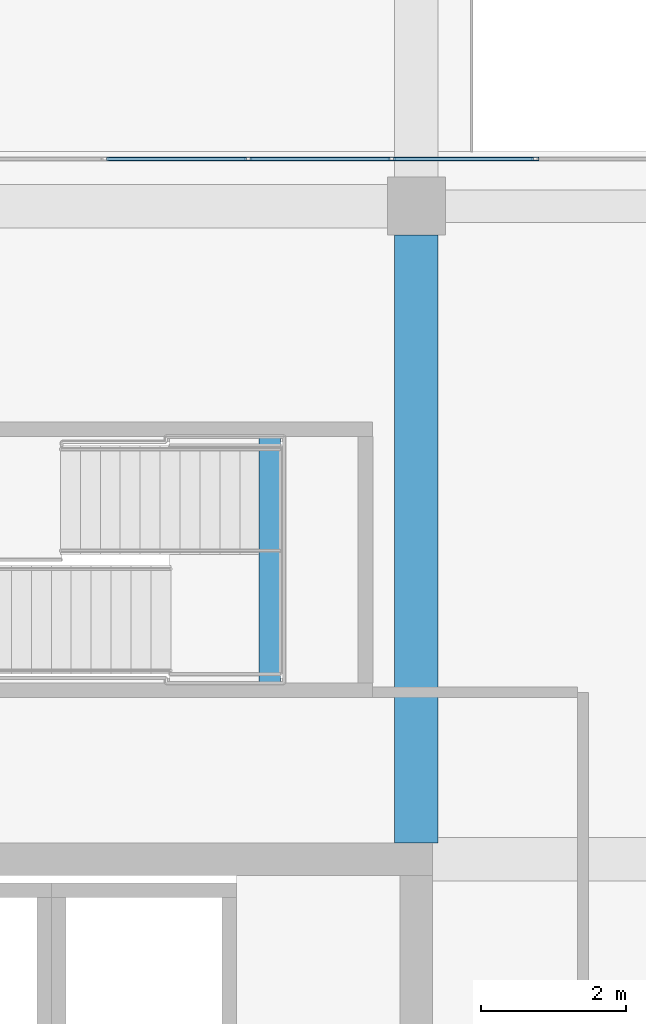
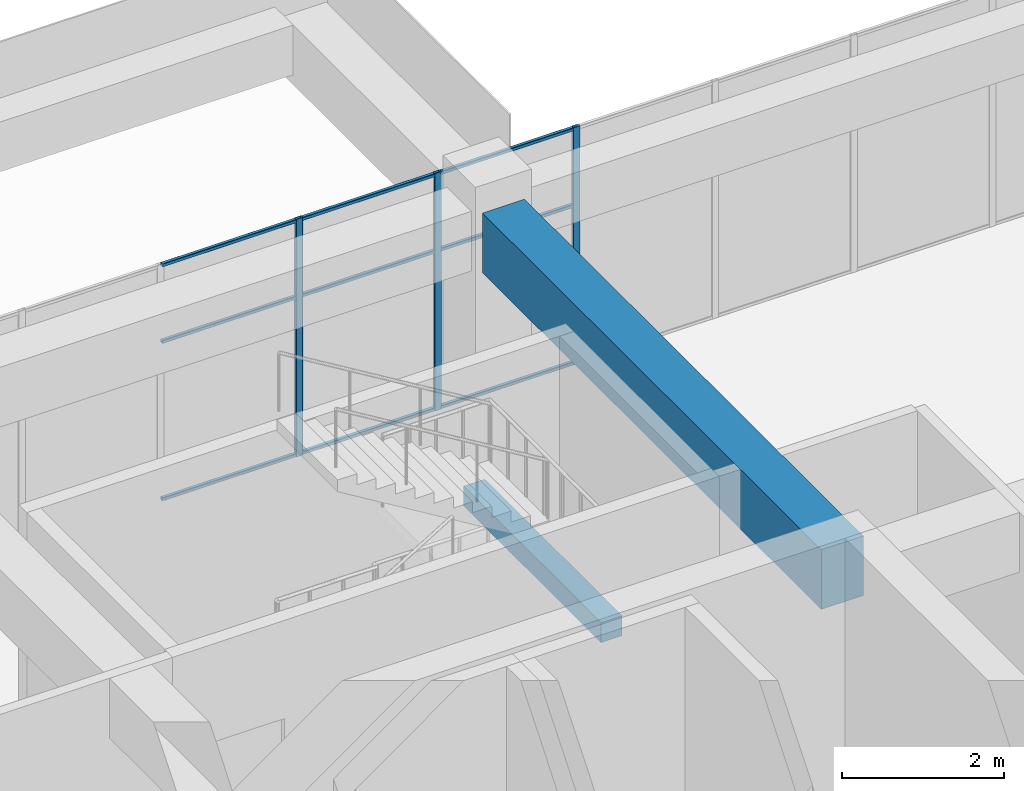
# One storey, part 40 of 72: 12 members, 2 beams, 1 element without a shape of its own.
"""IFC4 building model written with IfcOpenShell, lengths in metres."""

from ifc_helpers import new_model, si_unit, direction, frame, origin, origin_2d, place, context, subcontext, project, spatial, rectangle, hollow_rectangle, extrude, material, layer, layer_set, material_profile, profile_set, type_object, element, aggregate, save


model = new_model("IFC4")

# Units and contexts
model_context = context("Model", 3, precision=1e-05, world=origin(), true_north=direction((0.0, 1.0)))
body_context = subcontext(model_context, "Body", "Model", "MODEL_VIEW")
ifc_project = project(units=[si_unit("LENGTHUNIT", "METRE"), si_unit("AREAUNIT", "SQUARE_METRE"), si_unit("VOLUMEUNIT", "CUBIC_METRE"), si_unit("PLANEANGLEUNIT", "RADIAN"), si_unit("MASSUNIT", "GRAM", prefix="KILO")], contexts=[model_context])

# Site, building, storey
site_placement = place(None, origin())
site = spatial("IfcSite", under=ifc_project, at=site_placement, CompositionType="ELEMENT")
building_placement = place(site_placement, origin())
building = spatial("IfcBuilding", under=site, at=building_placement, Name="Tuart Plaza Theatre", CompositionType="ELEMENT")
storey_placement = place(building_placement, frame((0.0, 0.0, 13.5)))
storey = spatial("IfcBuildingStorey", under=building, at=storey_placement, Name="L03", CompositionType="ELEMENT", Elevation=13.5)

# Beams
ifc_material_1 = material(Name="Concrete N40 (40 MPa)", Category="concrete")
ifc_material_profile_1 = material_profile(ifc_material_1, rectangle(XDim=0.300048828125, YDim=0.300048828125, at=origin_2d()), Name="BEAM 300x300 Concrete N40 (40 MPa)")
ifc_profile_set_1 = profile_set([ifc_material_profile_1], Name="Concrete N40 (40 MPa)")
beam_type_1 = type_object("IfcBeamType", Name="BEAM 300x300 Concrete N40 (40 MPa)", PredefinedType="BEAM", material=ifc_profile_set_1)
beam_1_placement = place(storey_placement, frame((138.97998046875, 85.425048828125, 1.64990234375), z_axis=(0.0, 1.0, 0.0), x_axis=(-1.0, 0.0, 0.0)))
element("IfcBeam", 1, at=beam_1_placement, inside=storey, type_object=beam_type_1, Name="RB515", PredefinedType="BEAM", context=body_context, shape_type="SweptSolid", body=[
    extrude(rectangle(XDim=0.300048828125, YDim=0.300048828125, at=origin_2d()), origin(), (0.0, 0.0, 1.0), 3.39990234375),
])
ifc_material_2 = material(Name="Concrete N40 (40 MPa)", Category="concrete")
ifc_material_profile_2 = material_profile(ifc_material_2, rectangle(XDim=0.60009765625, YDim=0.89990234375, at=origin_2d()), Name="BEAM 600x900 Concrete N40 (40 MPa)")
ifc_profile_set_2 = profile_set([ifc_material_profile_2], Name="Concrete N40 (40 MPa)")
beam_type_2 = type_object("IfcBeamType", Name="BEAM 600x900 Concrete N40 (40 MPa)", PredefinedType="BEAM", material=ifc_profile_set_2)
beam_2_placement = place(storey_placement, frame((141.0, 83.22509765625, 3.1298828125), z_axis=(0.0, 1.0, 0.0), x_axis=(-1.0, 0.0, 0.0)))
element("IfcBeam", 2, at=beam_2_placement, inside=storey, type_object=beam_type_2, Name="RB192", PredefinedType="BEAM", context=body_context, shape_type="SweptSolid", body=[
    extrude(rectangle(XDim=0.60009765625, YDim=0.89990234375, at=origin_2d()), origin(), (0.0, 0.0, 1.0), 8.375),
])

# Curtain wall, members
ifc_material_3 = material(Name="Aluminium and glass", Category="aluminium")
ifc_layer = layer(ifc_material_3, 0.10009765625)
ifc_layer_set = layer_set([ifc_layer], Name="CURTAIN WALL 2000 module")
curtain_wall_type = type_object("IfcCurtainWallType", Name="CURTAIN WALL 2000 module", PredefinedType="NOTDEFINED", material=ifc_layer_set)
curtain_wall_placement = place(storey_placement, origin())
curtain_wall = element("IfcCurtainWall", 3, at=curtain_wall_placement, inside=storey, type_object=curtain_wall_type, Name="CW70", PredefinedType="NOTDEFINED")
ifc_material_4 = material(Name="Aluminium 6063-T5", Category="aluminium")
ifc_material_profile_3 = material_profile(ifc_material_4, hollow_rectangle(XDim=0.050048828125, YDim=0.10009765625, WallThickness=0.00390625, InnerFilletRadius=0.00390625, OuterFilletRadius=0.008056640625, at=origin_2d()), Name="RHS 100x50x4")
ifc_profile_set_3 = profile_set([ifc_material_profile_3], Name="Aluminium 6063-T5")
member_type_1 = type_object("IfcMemberType", Name="MULLION RHS 100x50x4", PredefinedType="MULLION", material=ifc_profile_set_3)
member_1_placement = place(storey_placement, frame((142.638916015625, 92.64990234375, 0.0), z_axis=(0.0, 0.0, 1.0), x_axis=(0.0, -1.0, 0.0)))
member_1 = element("IfcMember", 4, at=member_1_placement, type_object=member_type_1, Name="CW70 mullion 5", PredefinedType="MULLION", context=body_context, shape_type="SweptSolid", body=[
    extrude(hollow_rectangle(XDim=0.050048828125, YDim=0.10009765625, WallThickness=0.00390625, InnerFilletRadius=0.00390625, OuterFilletRadius=0.008056640625, at=origin_2d()), origin(), (0.0, 0.0, 1.0), 3.580078125),
])
member_2_placement = place(storey_placement, frame((140.6611328125, 92.64990234375, 0.0), z_axis=(0.0, 0.0, 1.0), x_axis=(0.0, -1.0, 0.0)))
member_2 = element("IfcMember", 5, at=member_2_placement, type_object=member_type_1, Name="CW70 mullion 6", PredefinedType="MULLION", context=body_context, shape_type="SweptSolid", body=[
    extrude(hollow_rectangle(XDim=0.050048828125, YDim=0.10009765625, WallThickness=0.00390625, InnerFilletRadius=0.00390625, OuterFilletRadius=0.008056640625, at=origin_2d()), origin(), (0.0, 0.0, 1.0), 3.580078125),
])
member_3_placement = place(storey_placement, frame((138.683349609375, 92.64990234375, 0.0), z_axis=(0.0, 0.0, 1.0), x_axis=(0.0, -1.0, 0.0)))
member_3 = element("IfcMember", 6, at=member_3_placement, type_object=member_type_1, Name="CW70 mullion 7", PredefinedType="MULLION", context=body_context, shape_type="SweptSolid", body=[
    extrude(hollow_rectangle(XDim=0.050048828125, YDim=0.10009765625, WallThickness=0.00390625, InnerFilletRadius=0.00390625, OuterFilletRadius=0.008056640625, at=origin_2d()), origin(), (0.0, 0.0, 1.0), 3.580078125),
])
ifc_material_5 = material(Name="Aluminium 6063-T5", Category="aluminium")
ifc_material_profile_4 = material_profile(ifc_material_5, hollow_rectangle(XDim=0.050048828125, YDim=0.050048828125, WallThickness=0.00390625, InnerFilletRadius=0.00390625, OuterFilletRadius=0.008056640625, at=origin_2d()), Name="RHS 50x50x4")
ifc_profile_set_4 = profile_set([ifc_material_profile_4], Name="Aluminium 6063-T5")
member_type_2 = type_object("IfcMemberType", Name="TRANSOM RHS 50x50x4", PredefinedType="USERDEFINED", material=ifc_profile_set_4)
member_4_placement = place(storey_placement, frame((142.61376953125, 92.64990234375, 0.02490234375), z_axis=(-1.0, 0.0, 0.0), x_axis=(0.0, -1.0, 0.0)))
member_4 = element("IfcMember", 7, at=member_4_placement, type_object=member_type_2, Name="CW70 transom 5.1", ObjectType="TRANSOM", PredefinedType="USERDEFINED", context=body_context, shape_type="SweptSolid", body=[
    extrude(hollow_rectangle(XDim=0.050048828125, YDim=0.050048828125, WallThickness=0.00390625, InnerFilletRadius=0.00390625, OuterFilletRadius=0.008056640625, at=origin_2d()), origin(), (0.0, 0.0, 1.0), 1.927734375),
])
member_5_placement = place(storey_placement, frame((142.61376953125, 92.64990234375, 2.39990234375), z_axis=(-1.0, 0.0, 0.0), x_axis=(0.0, -1.0, 0.0)))
member_5 = element("IfcMember", 8, at=member_5_placement, type_object=member_type_2, Name="CW70 transom 5.2", ObjectType="TRANSOM", PredefinedType="USERDEFINED", context=body_context, shape_type="SweptSolid", body=[
    extrude(hollow_rectangle(XDim=0.050048828125, YDim=0.050048828125, WallThickness=0.00390625, InnerFilletRadius=0.00390625, OuterFilletRadius=0.008056640625, at=origin_2d()), origin(), (0.0, 0.0, 1.0), 1.927734375),
])
member_6_placement = place(storey_placement, frame((142.61376953125, 92.64990234375, 3.554931640625), z_axis=(-1.0, 0.0, 0.0), x_axis=(0.0, -1.0, 0.0)))
member_6 = element("IfcMember", 9, at=member_6_placement, type_object=member_type_2, Name="CW70 transom 5.3", ObjectType="TRANSOM", PredefinedType="USERDEFINED", context=body_context, shape_type="SweptSolid", body=[
    extrude(hollow_rectangle(XDim=0.050048828125, YDim=0.050048828125, WallThickness=0.00390625, InnerFilletRadius=0.00390625, OuterFilletRadius=0.008056640625, at=origin_2d()), origin(), (0.0, 0.0, 1.0), 1.927734375),
])
member_7_placement = place(storey_placement, frame((140.63623046875, 92.64990234375, 0.02490234375), z_axis=(-1.0, 0.0, 0.0), x_axis=(0.0, -1.0, 0.0)))
member_7 = element("IfcMember", 10, at=member_7_placement, type_object=member_type_2, Name="CW70 transom 6.1", ObjectType="TRANSOM", PredefinedType="USERDEFINED", context=body_context, shape_type="SweptSolid", body=[
    extrude(hollow_rectangle(XDim=0.050048828125, YDim=0.050048828125, WallThickness=0.00390625, InnerFilletRadius=0.00390625, OuterFilletRadius=0.008056640625, at=origin_2d()), origin(), (0.0, 0.0, 1.0), 1.927978515625),
])
member_8_placement = place(storey_placement, frame((140.63623046875, 92.64990234375, 2.39990234375), z_axis=(-1.0, 0.0, 0.0), x_axis=(0.0, -1.0, 0.0)))
member_8 = element("IfcMember", 11, at=member_8_placement, type_object=member_type_2, Name="CW70 transom 6.2", ObjectType="TRANSOM", PredefinedType="USERDEFINED", context=body_context, shape_type="SweptSolid", body=[
    extrude(hollow_rectangle(XDim=0.050048828125, YDim=0.050048828125, WallThickness=0.00390625, InnerFilletRadius=0.00390625, OuterFilletRadius=0.008056640625, at=origin_2d()), origin(), (0.0, 0.0, 1.0), 1.927978515625),
])
member_9_placement = place(storey_placement, frame((140.63623046875, 92.64990234375, 3.554931640625), z_axis=(-1.0, 0.0, 0.0), x_axis=(0.0, -1.0, 0.0)))
member_9 = element("IfcMember", 12, at=member_9_placement, type_object=member_type_2, Name="CW70 transom 6.3", ObjectType="TRANSOM", PredefinedType="USERDEFINED", context=body_context, shape_type="SweptSolid", body=[
    extrude(hollow_rectangle(XDim=0.050048828125, YDim=0.050048828125, WallThickness=0.00390625, InnerFilletRadius=0.00390625, OuterFilletRadius=0.008056640625, at=origin_2d()), origin(), (0.0, 0.0, 1.0), 1.927978515625),
])
member_10_placement = place(storey_placement, frame((138.658447265625, 92.64990234375, 0.02490234375), z_axis=(-1.0, 0.0, 0.0), x_axis=(0.0, -1.0, 0.0)))
member_10 = element("IfcMember", 13, at=member_10_placement, type_object=member_type_2, Name="CW70 transom 7.1", ObjectType="TRANSOM", PredefinedType="USERDEFINED", context=body_context, shape_type="SweptSolid", body=[
    extrude(hollow_rectangle(XDim=0.050048828125, YDim=0.050048828125, WallThickness=0.00390625, InnerFilletRadius=0.00390625, OuterFilletRadius=0.008056640625, at=origin_2d()), origin(), (0.0, 0.0, 1.0), 1.927978515625),
])
member_11_placement = place(storey_placement, frame((138.658447265625, 92.64990234375, 2.39990234375), z_axis=(-1.0, 0.0, 0.0), x_axis=(0.0, -1.0, 0.0)))
member_11 = element("IfcMember", 14, at=member_11_placement, type_object=member_type_2, Name="CW70 transom 7.2", ObjectType="TRANSOM", PredefinedType="USERDEFINED", context=body_context, shape_type="SweptSolid", body=[
    extrude(hollow_rectangle(XDim=0.050048828125, YDim=0.050048828125, WallThickness=0.00390625, InnerFilletRadius=0.00390625, OuterFilletRadius=0.008056640625, at=origin_2d()), origin(), (0.0, 0.0, 1.0), 1.927978515625),
])
member_12_placement = place(storey_placement, frame((138.658447265625, 92.64990234375, 3.554931640625), z_axis=(-1.0, 0.0, 0.0), x_axis=(0.0, -1.0, 0.0)))
member_12 = element("IfcMember", 15, at=member_12_placement, type_object=member_type_2, Name="CW70 transom 7.3", ObjectType="TRANSOM", PredefinedType="USERDEFINED", context=body_context, shape_type="SweptSolid", body=[
    extrude(hollow_rectangle(XDim=0.050048828125, YDim=0.050048828125, WallThickness=0.00390625, InnerFilletRadius=0.00390625, OuterFilletRadius=0.008056640625, at=origin_2d()), origin(), (0.0, 0.0, 1.0), 1.927978515625),
])
aggregate(curtain_wall, [member_1, member_2, member_3, member_4, member_5, member_6, member_7, member_8, member_9, member_10, member_11, member_12])

save(model, "model.ifc")
